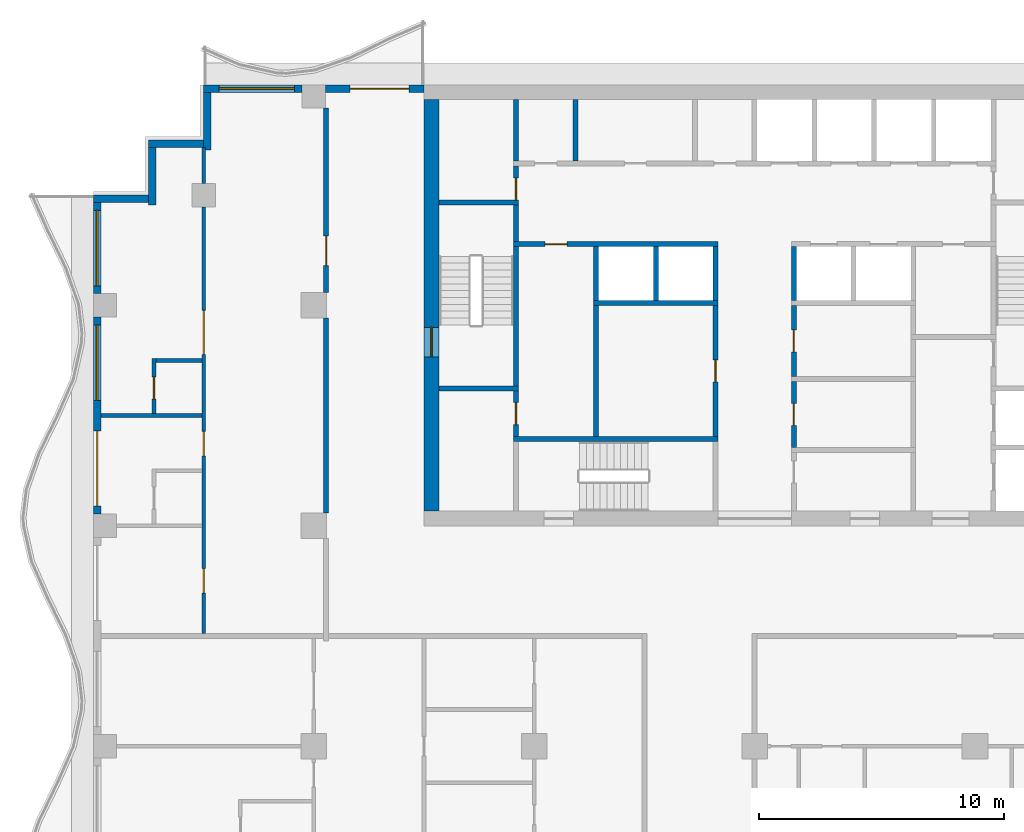
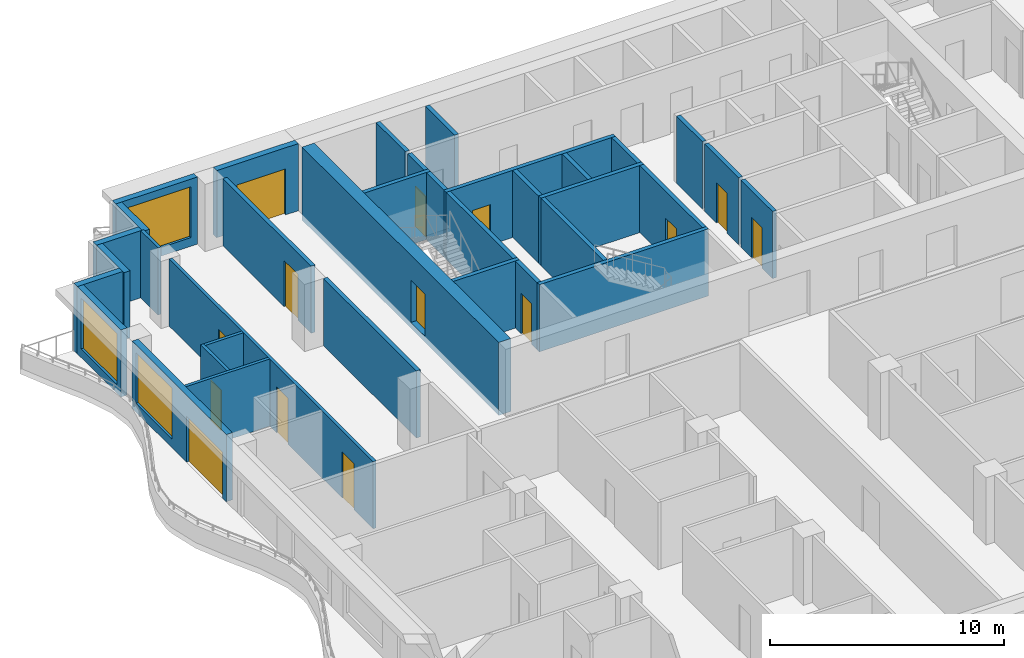
# One storey, part 5 of 11: 35 walls, 14 doors, 3 windows, 17 openings.
"""IFC4 building model written with IfcOpenShell, lengths in metres."""

from ifc_helpers import new_model, si_unit, direction, frame, frame_2d, origin, place, context, subcontext, project, spatial, rectangle, extrude, material, layer, layer_set, type_object, element, fill, save


model = new_model("IFC4")

# Units and contexts
model_context = context("Model", 3, precision=1e-05, world=origin(), true_north=direction((0.0, 1.0)))
body_context = subcontext(model_context, "Body", "Model", "MODEL_VIEW")
ifc_project = project(units=[si_unit("LENGTHUNIT", "METRE"), si_unit("AREAUNIT", "SQUARE_METRE"), si_unit("VOLUMEUNIT", "CUBIC_METRE"), si_unit("PLANEANGLEUNIT", "RADIAN"), si_unit("MASSUNIT", "GRAM", prefix="KILO")], contexts=[model_context])

# Site, building, storey
site_placement = place(None, origin())
site = spatial("IfcSite", under=ifc_project, at=site_placement, CompositionType="ELEMENT")
building_placement = place(site_placement, origin())
building = spatial("IfcBuilding", under=site, at=building_placement, Name="Orbiselva Terraces", CompositionType="ELEMENT")
storey_placement = place(building_placement, frame((0.0, 0.0, 222.4)))
storey = spatial("IfcBuildingStorey", under=building, at=storey_placement, Name="L56", CompositionType="ELEMENT", Elevation=222.4)

# Wall, opening, door
ifc_material_1 = material(Name="Concrete C80/95", Category="concrete")
ifc_layer_1 = layer(ifc_material_1, 0.6)
ifc_layer_set_1 = layer_set([ifc_layer_1], Name="Concrete C80/95")
wall_type_1 = type_object("IfcWallType", Name="CORE WALL 600", PredefinedType="SHEAR", material=ifc_layer_set_1)
wall_1_placement = place(storey_placement, frame((-13.2, 21.9, -0.3), z_axis=(0.0, 0.0, 1.0), x_axis=(0.0, -1.0, 0.0)))
wall_1 = element("IfcWall", 1, at=wall_1_placement, inside=storey, type_object=wall_type_1, Name="Core wall L56 west", PredefinedType="SHEAR", context=body_context, shape_type="SweptSolid", body=[
    extrude(rectangle(XDim=16.8, YDim=0.6, at=frame_2d((8.4, 0.0))), origin(), (0.0, 0.0, 1.0), 3.8),
])
opening_1_placement = place(wall_1_placement, frame((9.3, 0.0, 0.3)))
opening_1 = element("IfcOpeningElement", 2, at=opening_1_placement, cuts=wall_1, Name="Opening DS1200", PredefinedType="OPENING", context=body_context, shape_type="SweptSolid", body=[
    extrude(rectangle(XDim=1.2, YDim=2.2, at=frame_2d((0.6, 1.1))), frame((0.0, 0.31, 0.0), z_axis=(0.0, -1.0, 0.0), x_axis=(1.0, 0.0, 0.0)), (0.0, 0.0, 1.0), 0.62),
])
ifc_material_2 = material(Name="Steel fire door", Category="steel")
door_type_1 = type_object("IfcDoorType", Name="STAIR DOOR 1200", OperationType="NOTDEFINED", PredefinedType="DOOR", material=ifc_material_2)
door_1_placement = place(opening_1_placement, frame((1.2, 0.0, 0.0), z_axis=(0.0, 0.0, 1.0), x_axis=(-1.0, 0.0, 0.0)))
door_1 = element("IfcDoor", 3, at=door_1_placement, inside=storey, type_object=door_type_1, Name="L56 EXIT STAIR S1 door", OperationType="SINGLE_SWING_RIGHT", OverallHeight=2.2, OverallWidth=1.2, PredefinedType="DOOR", context=body_context, shape_type="SweptSolid", body=[
    extrude(rectangle(XDim=1.2, YDim=2.2, at=frame_2d((0.6, 1.1))), frame((0.0, 0.025, 0.0), z_axis=(0.0, -1.0, 0.0), x_axis=(1.0, 0.0, 0.0)), (0.0, 0.0, 1.0), 0.05),
])
fill(opening_1, door_1)

ifc_material_3 = material(Name="Masonry blockwork", Category="masonry")
ifc_layer_2 = layer(ifc_material_3, 0.2)
ifc_layer_set_2 = layer_set([ifc_layer_2], Name="Masonry blockwork")
wall_type_2 = type_object("IfcWallType", Name="CORE-WALL-PARTITION-200", PredefinedType="PARTITIONING", material=ifc_layer_set_2)
wall_2_placement = place(storey_placement, frame((-9.75, 8.15, 0.0), z_axis=(0.0, 0.0, 1.0), x_axis=(0.0, 1.0, 0.0)))
wall_2 = element("IfcWall", 4, at=wall_2_placement, inside=storey, type_object=wall_type_2, Name="L56 core wall 05", PredefinedType="PARTITIONING", context=body_context, shape_type="SweptSolid", body=[
    extrude(rectangle(XDim=1.85, YDim=0.2, at=frame_2d((0.925, 0.0))), origin(), (0.0, 0.0, 1.0), 3.5),
])
opening_2_placement = place(wall_2_placement, frame((0.475, 0.0, 0.0)))
opening_2 = element("IfcOpeningElement", 5, at=opening_2_placement, cuts=wall_2, Name="Opening DR900", PredefinedType="OPENING", context=body_context, shape_type="SweptSolid", body=[
    extrude(rectangle(XDim=0.9, YDim=2.1, at=frame_2d((0.45, 1.05))), frame((0.0, 0.11, 0.0), z_axis=(0.0, -1.0, 0.0), x_axis=(1.0, 0.0, 0.0)), (0.0, 0.0, 1.0), 0.22),
])
door_type_2 = type_object("IfcDoorType", Name="ROOM DOOR 900", OperationType="NOTDEFINED", PredefinedType="DOOR", material=ifc_material_2)
door_2_placement = place(opening_2_placement, origin())
door_2 = element("IfcDoor", 6, at=door_2_placement, inside=storey, type_object=door_type_2, Name="L56 STAFF WC door", OperationType="SINGLE_SWING_RIGHT", OverallHeight=2.1, OverallWidth=0.9, PredefinedType="DOOR", context=body_context, shape_type="SweptSolid", body=[
    extrude(rectangle(XDim=0.9, YDim=2.1, at=frame_2d((0.45, 1.05))), frame((0.0, 0.025, 0.0), z_axis=(0.0, -1.0, 0.0), x_axis=(1.0, 0.0, 0.0)), (0.0, 0.0, 1.0), 0.05),
])
fill(opening_2, door_2)

wall_3_placement = place(storey_placement, frame((-9.75, 17.8, 0.0), z_axis=(0.0, 0.0, 1.0), x_axis=(0.0, 1.0, 0.0)))
wall_3 = element("IfcWall", 7, at=wall_3_placement, inside=storey, type_object=wall_type_2, Name="L56 core wall 09", PredefinedType="PARTITIONING", context=body_context, shape_type="SweptSolid", body=[
    extrude(rectangle(XDim=1.4, YDim=0.2, at=frame_2d((0.7, 0.0))), origin(), (0.0, 0.0, 1.0), 3.5),
])
opening_3_placement = place(wall_3_placement, origin())
opening_3 = element("IfcOpeningElement", 8, at=opening_3_placement, cuts=wall_3, Name="Opening DR900", PredefinedType="OPENING", context=body_context, shape_type="SweptSolid", body=[
    extrude(rectangle(XDim=0.9, YDim=2.1, at=frame_2d((0.45, 1.05))), frame((0.0, 0.11, 0.0), z_axis=(0.0, -1.0, 0.0), x_axis=(1.0, 0.0, 0.0)), (0.0, 0.0, 1.0), 0.22),
])
door_3_placement = place(opening_3_placement, origin())
door_3 = element("IfcDoor", 9, at=door_3_placement, inside=storey, type_object=door_type_2, Name="L56 ELECTRICAL RISER ROOM door", OperationType="SINGLE_SWING_LEFT", OverallHeight=2.1, OverallWidth=0.9, PredefinedType="DOOR", context=body_context, shape_type="SweptSolid", body=[
    extrude(rectangle(XDim=0.9, YDim=2.1, at=frame_2d((0.45, 1.05))), frame((0.0, 0.025, 0.0), z_axis=(0.0, -1.0, 0.0), x_axis=(1.0, 0.0, 0.0)), (0.0, 0.0, 1.0), 0.05),
])
fill(opening_3, door_3)

# Walls
for number, where, z_axis, x_axis, name in (
    (10, (-9.75, 19.4, 0.0), (0.0, 0.0, 1.0), (0.0, 1.0, 0.0), "L56 core wall 11"),
    (11, (-7.3125, 19.4, 0.0), (0.0, 0.0, 1.0), (0.0, 1.0, 0.0), "L56 core wall 12"),
):
    element("IfcWall", number, at=place(storey_placement, frame(where, z_axis=z_axis, x_axis=x_axis)), inside=storey, type_object=wall_type_2, Name=name, PredefinedType="PARTITIONING", context=body_context, shape_type="SweptSolid", body=[
        extrude(rectangle(XDim=2.5, YDim=0.2, at=frame_2d((1.25, 0.0))), origin(), (0.0, 0.0, 1.0), 3.5),
    ])
wall_4_placement = place(storey_placement, frame((-6.475, 8.15, 0.0), z_axis=(0.0, 0.0, 1.0), x_axis=(0.0, 1.0, 0.0)))
element("IfcWall", 12, at=wall_4_placement, inside=storey, type_object=wall_type_2, Name="L56 core wall 13", PredefinedType="PARTITIONING", context=body_context, shape_type="SweptSolid", body=[
    extrude(rectangle(XDim=5.35, YDim=0.2, at=frame_2d((2.675, 0.0))), origin(), (0.0, 0.0, 1.0), 3.5),
])

# Wall, opening, door
wall_5_placement = place(storey_placement, frame((1.6, 10.4, 0.0), z_axis=(0.0, 0.0, 1.0), x_axis=(0.0, -1.0, 0.0)))
wall_5 = element("IfcWall", 13, at=wall_5_placement, inside=storey, type_object=wall_type_2, Name="L56 core wall 24", PredefinedType="PARTITIONING", context=body_context, shape_type="SweptSolid", body=[
    extrude(rectangle(XDim=2.7, YDim=0.2, at=frame_2d((1.35, 0.0))), origin(), (0.0, 0.0, 1.0), 3.5),
])
opening_4_placement = place(wall_5_placement, frame((0.9, 0.0, 0.0)))
opening_4 = element("IfcOpeningElement", 14, at=opening_4_placement, cuts=wall_5, Name="Opening DR900", PredefinedType="OPENING", context=body_context, shape_type="SweptSolid", body=[
    extrude(rectangle(XDim=0.9, YDim=2.1, at=frame_2d((0.45, 1.05))), frame((0.0, 0.11, 0.0), z_axis=(0.0, -1.0, 0.0), x_axis=(1.0, 0.0, 0.0)), (0.0, 0.0, 1.0), 0.22),
])
door_4_placement = place(opening_4_placement, origin())
door_4 = element("IfcDoor", 15, at=door_4_placement, inside=storey, type_object=door_type_2, Name="L56 SERVICE PANTRY door", OperationType="SINGLE_SWING_LEFT", OverallHeight=2.1, OverallWidth=0.9, PredefinedType="DOOR", context=body_context, shape_type="SweptSolid", body=[
    extrude(rectangle(XDim=0.9, YDim=2.1, at=frame_2d((0.45, 1.05))), frame((0.0, 0.025, 0.0), z_axis=(0.0, -1.0, 0.0), x_axis=(1.0, 0.0, 0.0)), (0.0, 0.0, 1.0), 0.05),
])
fill(opening_4, door_4)

wall_6_placement = place(storey_placement, frame((1.6, 13.5, 0.0), z_axis=(0.0, 0.0, 1.0), x_axis=(0.0, -1.0, 0.0)))
wall_6 = element("IfcWall", 16, at=wall_6_placement, inside=storey, type_object=wall_type_2, Name="L56 core wall 26", PredefinedType="PARTITIONING", context=body_context, shape_type="SweptSolid", body=[
    extrude(rectangle(XDim=2.9, YDim=0.2, at=frame_2d((1.45, 0.0))), origin(), (0.0, 0.0, 1.0), 3.5),
])
opening_5_placement = place(wall_6_placement, frame((1.0, 0.0, 0.0)))
opening_5 = element("IfcOpeningElement", 17, at=opening_5_placement, cuts=wall_6, Name="Opening DR900", PredefinedType="OPENING", context=body_context, shape_type="SweptSolid", body=[
    extrude(rectangle(XDim=0.9, YDim=2.1, at=frame_2d((0.45, 1.05))), frame((0.0, 0.11, 0.0), z_axis=(0.0, -1.0, 0.0), x_axis=(1.0, 0.0, 0.0)), (0.0, 0.0, 1.0), 0.22),
])
door_5_placement = place(opening_5_placement, origin())
door_5 = element("IfcDoor", 18, at=door_5_placement, inside=storey, type_object=door_type_2, Name="L56 STAFF WC door", OperationType="SINGLE_SWING_LEFT", OverallHeight=2.1, OverallWidth=0.9, PredefinedType="DOOR", context=body_context, shape_type="SweptSolid", body=[
    extrude(rectangle(XDim=0.9, YDim=2.1, at=frame_2d((0.45, 1.05))), frame((0.0, 0.025, 0.0), z_axis=(0.0, -1.0, 0.0), x_axis=(1.0, 0.0, 0.0)), (0.0, 0.0, 1.0), 0.05),
])
fill(opening_5, door_5)

# Walls
ifc_material_4 = material(Name="Concrete C40/50", Category="concrete")
ifc_layer_3 = layer(ifc_material_4, 0.2)
ifc_layer_set_3 = layer_set([ifc_layer_3], Name="Concrete C40/50")
wall_type_3 = type_object("IfcWallType", Name="CORE-WALL-SHAFT-200", PredefinedType="PARTITIONING", material=ifc_layer_set_3)
for number, where, z_axis, x_axis, name in (
    (19, (-6.475, 13.7, 0.0), (0.0, 0.0, 1.0), (0.0, 1.0, 0.0), "L56 core wall 15"),
    (20, (-4.0375, 13.7, 0.0), (0.0, 0.0, 1.0), (0.0, 1.0, 0.0), "L56 core wall 16"),
    (21, (-1.6, 13.7, 0.0), (0.0, 0.0, 1.0), (0.0, 1.0, 0.0), "L56 core wall 20"),
    (22, (1.6, 13.7, 0.0), (0.0, 0.0, 1.0), (0.0, 1.0, 0.0), "L56 core wall 28"),
):
    element("IfcWall", number, at=place(storey_placement, frame(where, z_axis=z_axis, x_axis=x_axis)), inside=storey, type_object=wall_type_3, Name=name, PredefinedType="PARTITIONING", context=body_context, shape_type="SweptSolid", body=[
        extrude(rectangle(XDim=2.2, YDim=0.2, at=frame_2d((1.1, 0.0))), origin(), (0.0, 0.0, 1.0), 3.5),
    ])
ifc_material_5 = material(Name="Concrete C60/75", Category="concrete")
ifc_layer_4 = layer(ifc_material_5, 0.2)
ifc_layer_set_4 = layer_set([ifc_layer_4], Name="Concrete C60/75")
wall_type_4 = type_object("IfcWallType", Name="CORE-WALL-SHEAR-200", PredefinedType="SHEAR", material=ifc_layer_set_4)
for number, where, z_axis, x_axis, name in (
    (23, (-12.9, 10.1, 0.0), (0.0, 0.0, 1.0), (1.0, 0.0, 0.0), "L56 core wall 01"),
    (24, (-12.9, 17.7, 0.0), (0.0, 0.0, 1.0), (1.0, 0.0, 0.0), "L56 core wall 02"),
):
    element("IfcWall", number, at=place(storey_placement, frame(where, z_axis=z_axis, x_axis=x_axis)), inside=storey, type_object=wall_type_4, Name=name, PredefinedType="SHEAR", context=body_context, shape_type="SweptSolid", body=[
        extrude(rectangle(XDim=3.25, YDim=0.2, at=frame_2d((1.625, 0.0))), origin(), (0.0, 0.0, 1.0), 3.5),
    ])
wall_7_placement = place(storey_placement, frame((-9.85, 8.05, 0.0), z_axis=(0.0, 0.0, 1.0), x_axis=(1.0, 0.0, 0.0)))
element("IfcWall", 25, at=wall_7_placement, inside=storey, type_object=wall_type_4, Name="L56 core wall 04", PredefinedType="SHEAR", context=body_context, shape_type="SweptSolid", body=[
    extrude(rectangle(XDim=8.35, YDim=0.2, at=frame_2d((4.175, 0.0))), origin(), (0.0, 0.0, 1.0), 3.5),
])
wall_8_placement = place(storey_placement, frame((-9.75, 10.2, 0.0), z_axis=(0.0, 0.0, 1.0), x_axis=(0.0, 1.0, 0.0)))
element("IfcWall", 26, at=wall_8_placement, inside=storey, type_object=wall_type_4, Name="L56 core wall 06", PredefinedType="SHEAR", context=body_context, shape_type="SweptSolid", body=[
    extrude(rectangle(XDim=5.7, YDim=0.2, at=frame_2d((2.85, 0.0))), origin(), (0.0, 0.0, 1.0), 3.5),
])

# Wall, opening, door
wall_9_placement = place(storey_placement, frame((-1.5, 16.0, 0.0), z_axis=(0.0, 0.0, 1.0), x_axis=(-1.0, 0.0, 0.0)))
wall_9 = element("IfcWall", 27, at=wall_9_placement, inside=storey, type_object=wall_type_4, Name="L56 core wall 07", PredefinedType="SHEAR", context=body_context, shape_type="SweptSolid", body=[
    extrude(rectangle(XDim=8.35, YDim=0.2, at=frame_2d((4.175, 0.0))), origin(), (0.0, 0.0, 1.0), 3.5),
])
opening_6_placement = place(wall_9_placement, frame((6.1625, 0.0, 0.0)))
opening_6 = element("IfcOpeningElement", 28, at=opening_6_placement, cuts=wall_9, Name="Opening DR900", PredefinedType="OPENING", context=body_context, shape_type="SweptSolid", body=[
    extrude(rectangle(XDim=0.9, YDim=2.1, at=frame_2d((0.45, 1.05))), frame((0.0, 0.11, 0.0), z_axis=(0.0, -1.0, 0.0), x_axis=(1.0, 0.0, 0.0)), (0.0, 0.0, 1.0), 0.22),
])
door_6_placement = place(opening_6_placement, origin())
door_6 = element("IfcDoor", 29, at=door_6_placement, inside=storey, type_object=door_type_2, Name="L56 STAFF PANTRY door", OperationType="SINGLE_SWING_RIGHT", OverallHeight=2.1, OverallWidth=0.9, PredefinedType="DOOR", context=body_context, shape_type="SweptSolid", body=[
    extrude(rectangle(XDim=0.9, YDim=2.1, at=frame_2d((0.45, 1.05))), frame((0.0, 0.025, 0.0), z_axis=(0.0, -1.0, 0.0), x_axis=(1.0, 0.0, 0.0)), (0.0, 0.0, 1.0), 0.05),
])
fill(opening_6, door_6)

# Walls
wall_10_placement = place(storey_placement, frame((-9.75, 16.1, 0.0), z_axis=(0.0, 0.0, 1.0), x_axis=(0.0, 1.0, 0.0)))
element("IfcWall", 30, at=wall_10_placement, inside=storey, type_object=wall_type_4, Name="L56 core wall 08", PredefinedType="SHEAR", context=body_context, shape_type="SweptSolid", body=[
    extrude(rectangle(XDim=1.5, YDim=0.2, at=frame_2d((0.75, 0.0))), origin(), (0.0, 0.0, 1.0), 3.5),
])
wall_11_placement = place(storey_placement, frame((-6.575, 13.6, 0.0), z_axis=(0.0, 0.0, 1.0), x_axis=(1.0, 0.0, 0.0)))
element("IfcWall", 31, at=wall_11_placement, inside=storey, type_object=wall_type_4, Name="L56 core wall 14", PredefinedType="SHEAR", context=body_context, shape_type="SweptSolid", body=[
    extrude(rectangle(XDim=5.075, YDim=0.2, at=frame_2d((2.5375, 0.0))), origin(), (0.0, 0.0, 1.0), 3.5),
])

# Wall, opening, door
wall_12_placement = place(storey_placement, frame((-1.6, 8.15, 0.0), z_axis=(0.0, 0.0, 1.0), x_axis=(0.0, 1.0, 0.0)))
wall_12 = element("IfcWall", 32, at=wall_12_placement, inside=storey, type_object=wall_type_4, Name="L56 core wall 19", PredefinedType="SHEAR", context=body_context, shape_type="SweptSolid", body=[
    extrude(rectangle(XDim=5.35, YDim=0.2, at=frame_2d((2.675, 0.0))), origin(), (0.0, 0.0, 1.0), 3.5),
])
opening_7_placement = place(wall_12_placement, frame((2.225, 0.0, 0.0)))
opening_7 = element("IfcOpeningElement", 33, at=opening_7_placement, cuts=wall_12, Name="Opening DR900", PredefinedType="OPENING", context=body_context, shape_type="SweptSolid", body=[
    extrude(rectangle(XDim=0.9, YDim=2.1, at=frame_2d((0.45, 1.05))), frame((0.0, 0.11, 0.0), z_axis=(0.0, -1.0, 0.0), x_axis=(1.0, 0.0, 0.0)), (0.0, 0.0, 1.0), 0.22),
])
door_7_placement = place(opening_7_placement, origin())
door_7 = element("IfcDoor", 34, at=door_7_placement, inside=storey, type_object=door_type_2, Name="L56 HOUSEKEEPING STORE door", OperationType="SINGLE_SWING_RIGHT", OverallHeight=2.1, OverallWidth=0.9, PredefinedType="DOOR", context=body_context, shape_type="SweptSolid", body=[
    extrude(rectangle(XDim=0.9, YDim=2.1, at=frame_2d((0.45, 1.05))), frame((0.0, 0.025, 0.0), z_axis=(0.0, -1.0, 0.0), x_axis=(1.0, 0.0, 0.0)), (0.0, 0.0, 1.0), 0.05),
])
fill(opening_7, door_7)

ifc_material_6 = material(Name="Terracotta cladding on masonry backing", Category="masonry")
ifc_layer_5 = layer(ifc_material_6, 0.3)
ifc_layer_set_5 = layer_set([ifc_layer_5], Name="Terracotta cladding on masonry backing")
wall_type_5 = type_object("IfcWallType", Name="ENV-WALL-TERRACOTTA-300", PredefinedType="SOLIDWALL", material=ifc_layer_set_5)
wall_13_placement = place(storey_placement, frame((-17.525, 22.35, 0.0), z_axis=(0.0, 0.0, 1.0), x_axis=(1.0, 0.0, 0.0)))
wall_13 = element("IfcWall", 35, at=wall_13_placement, inside=storey, type_object=wall_type_5, Name="Facade wall L56 NW", PredefinedType="SOLIDWALL", context=body_context, shape_type="SweptSolid", body=[
    extrude(rectangle(XDim=4.025, YDim=0.3, at=frame_2d((2.0125, 0.0))), origin(), (0.0, 0.0, 1.0), 3.5),
])
opening_8_placement = place(wall_13_placement, frame((1.0, 0.0, 0.0)))
opening_8 = element("IfcOpeningElement", 36, at=opening_8_placement, cuts=wall_13, Name="Opening Z4-D-E16", PredefinedType="OPENING", context=body_context, shape_type="SweptSolid", body=[
    extrude(rectangle(XDim=2.4, YDim=2.4, at=frame_2d((1.2, 1.2))), frame((0.0, 0.16, 0.0), z_axis=(0.0, -1.0, 0.0), x_axis=(1.0, 0.0, 0.0)), (0.0, 0.0, 1.0), 0.32),
])
ifc_material_7 = material(Name="Clear low-e glazing in aluminium frame", Category="aluminium")
door_type_3 = type_object("IfcDoorType", Name="BALCONY DOOR 2400 X 2400", OperationType="DOUBLE_DOOR_SLIDING", PredefinedType="DOOR", material=ifc_material_7)
door_8_placement = place(opening_8_placement, origin())
door_8 = element("IfcDoor", 37, at=door_8_placement, inside=storey, type_object=door_type_3, Name="Z4-D-E16", OperationType="SINGLE_SWING_LEFT", OverallHeight=2.4, OverallWidth=2.4, PredefinedType="DOOR", context=body_context, shape_type="SweptSolid", body=[
    extrude(rectangle(XDim=2.4, YDim=2.4, at=frame_2d((1.2, 1.2))), frame((0.0, 0.025, 0.0), z_axis=(0.0, -1.0, 0.0), x_axis=(1.0, 0.0, 0.0)), (0.0, 0.0, 1.0), 0.05),
])
fill(opening_8, door_8)

# Wall, opening, window
wall_14_placement = place(storey_placement, frame((-22.5, 22.35, 0.0), z_axis=(0.0, 0.0, 1.0), x_axis=(1.0, 0.0, 0.0)))
wall_14 = element("IfcWall", 38, at=wall_14_placement, inside=storey, type_object=wall_type_5, Name="Facade wall L56 NW", PredefinedType="SOLIDWALL", context=body_context, shape_type="SweptSolid", body=[
    extrude(rectangle(XDim=4.025, YDim=0.3, at=frame_2d((2.0125, 0.0))), origin(), (0.0, 0.0, 1.0), 3.5),
])
opening_9_placement = place(wall_14_placement, frame((0.625, 0.0, 0.45)))
opening_9 = element("IfcOpeningElement", 39, at=opening_9_placement, cuts=wall_14, Name="Opening WN15", PredefinedType="OPENING", context=body_context, shape_type="SweptSolid", body=[
    extrude(rectangle(XDim=3.075, YDim=2.65, at=frame_2d((1.5375, 1.325))), frame((0.0, 0.16, 0.0), z_axis=(0.0, -1.0, 0.0), x_axis=(1.0, 0.0, 0.0)), (0.0, 0.0, 1.0), 0.32),
])
window_type = type_object("IfcWindowType", Name="WINDOW 3075 X 2650 S450", PartitioningType="TRIPLE_PANEL_VERTICAL", PredefinedType="WINDOW", material=ifc_material_7)
window_1_placement = place(opening_9_placement, origin())
window_1 = element("IfcWindow", 40, at=window_1_placement, inside=storey, type_object=window_type, Name="Window L56 NW", OverallHeight=2.65, OverallWidth=3.075, PartitioningType="SINGLE_PANEL", PredefinedType="WINDOW", context=body_context, shape_type="SweptSolid", body=[
    extrude(rectangle(XDim=3.075, YDim=2.65, at=frame_2d((1.5375, 1.325))), frame((0.0, 0.03, 0.0), z_axis=(0.0, -1.0, 0.0), x_axis=(1.0, 0.0, 0.0)), (0.0, 0.0, 1.0), 0.06),
])
fill(opening_9, window_1)

# Walls
wall_15_placement = place(storey_placement, frame((-22.35, 19.85, 0.0), z_axis=(0.0, 0.0, 1.0), x_axis=(0.0, 1.0, 0.0)))
element("IfcWall", 41, at=wall_15_placement, inside=storey, type_object=wall_type_5, Name="Facade wall L56 STEP", PredefinedType="SOLIDWALL", context=body_context, shape_type="SweptSolid", body=[
    extrude(rectangle(XDim=2.35, YDim=0.3, at=frame_2d((1.175, 0.0))), origin(), (0.0, 0.0, 1.0), 3.5),
])
wall_16_placement = place(storey_placement, frame((-24.75, 20.1, 0.0), z_axis=(0.0, 0.0, 1.0), x_axis=(1.0, 0.0, 0.0)))
element("IfcWall", 42, at=wall_16_placement, inside=storey, type_object=wall_type_5, Name="Facade wall L56 STEP", PredefinedType="SOLIDWALL", context=body_context, shape_type="SweptSolid", body=[
    extrude(rectangle(XDim=2.25, YDim=0.3, at=frame_2d((1.125, 0.0))), origin(), (0.0, 0.0, 1.0), 3.5),
])
wall_17_placement = place(storey_placement, frame((-24.6, 17.6, 0.0), z_axis=(0.0, 0.0, 1.0), x_axis=(0.0, 1.0, 0.0)))
element("IfcWall", 43, at=wall_17_placement, inside=storey, type_object=wall_type_5, Name="Facade wall L56 STEP", PredefinedType="SOLIDWALL", context=body_context, shape_type="SweptSolid", body=[
    extrude(rectangle(XDim=2.35, YDim=0.3, at=frame_2d((1.175, 0.0))), origin(), (0.0, 0.0, 1.0), 3.5),
])
wall_18_placement = place(storey_placement, frame((-27.0, 17.85, 0.0), z_axis=(0.0, 0.0, 1.0), x_axis=(1.0, 0.0, 0.0)))
element("IfcWall", 44, at=wall_18_placement, inside=storey, type_object=wall_type_5, Name="Facade wall L56 STEP", PredefinedType="SOLIDWALL", context=body_context, shape_type="SweptSolid", body=[
    extrude(rectangle(XDim=2.25, YDim=0.3, at=frame_2d((1.125, 0.0))), origin(), (0.0, 0.0, 1.0), 3.5),
])

# Wall, opening, window
wall_19_placement = place(storey_placement, frame((-26.85, 13.975, 0.0), z_axis=(0.0, 0.0, 1.0), x_axis=(0.0, 1.0, 0.0)))
wall_19 = element("IfcWall", 45, at=wall_19_placement, inside=storey, type_object=wall_type_5, Name="Facade wall L56 W", PredefinedType="SOLIDWALL", context=body_context, shape_type="SweptSolid", body=[
    extrude(rectangle(XDim=3.725, YDim=0.3, at=frame_2d((1.8625, 0.0))), origin(), (0.0, 0.0, 1.0), 3.5),
])
opening_10_placement = place(wall_19_placement, frame((0.325, 0.0, 0.45)))
opening_10 = element("IfcOpeningElement", 46, at=opening_10_placement, cuts=wall_19, Name="Opening WN15", PredefinedType="OPENING", context=body_context, shape_type="SweptSolid", body=[
    extrude(rectangle(XDim=3.075, YDim=2.65, at=frame_2d((1.5375, 1.325))), frame((0.0, 0.16, 0.0), z_axis=(0.0, -1.0, 0.0), x_axis=(1.0, 0.0, 0.0)), (0.0, 0.0, 1.0), 0.32),
])
window_2_placement = place(opening_10_placement, origin())
window_2 = element("IfcWindow", 47, at=window_2_placement, inside=storey, type_object=window_type, Name="Window L56 W", OverallHeight=2.65, OverallWidth=3.075, PartitioningType="SINGLE_PANEL", PredefinedType="WINDOW", context=body_context, shape_type="SweptSolid", body=[
    extrude(rectangle(XDim=3.075, YDim=2.65, at=frame_2d((1.5375, 1.325))), frame((0.0, 0.03, 0.0), z_axis=(0.0, -1.0, 0.0), x_axis=(1.0, 0.0, 0.0)), (0.0, 0.0, 1.0), 0.06),
])
fill(opening_10, window_2)

# Wall, openings, door, window
wall_20_placement = place(storey_placement, frame((-26.85, 4.975, 0.0), z_axis=(0.0, 0.0, 1.0), x_axis=(0.0, 1.0, 0.0)))
wall_20 = element("IfcWall", 48, at=wall_20_placement, inside=storey, type_object=wall_type_5, Name="Facade wall L56 W", PredefinedType="SOLIDWALL", context=body_context, shape_type="SweptSolid", body=[
    extrude(rectangle(XDim=8.05, YDim=0.3, at=frame_2d((4.025, 0.0))), origin(), (0.0, 0.0, 1.0), 3.5),
])
opening_11_placement = place(wall_20_placement, frame((4.65, 0.0, 0.45)))
opening_11 = element("IfcOpeningElement", 49, at=opening_11_placement, cuts=wall_20, Name="Opening WN15", PredefinedType="OPENING", context=body_context, shape_type="SweptSolid", body=[
    extrude(rectangle(XDim=3.075, YDim=2.65, at=frame_2d((1.5375, 1.325))), frame((0.0, 0.16, 0.0), z_axis=(0.0, -1.0, 0.0), x_axis=(1.0, 0.0, 0.0)), (0.0, 0.0, 1.0), 0.32),
])
opening_12_placement = place(wall_20_placement, frame((0.325, 0.0, 0.0)))
opening_12 = element("IfcOpeningElement", 50, at=opening_12_placement, cuts=wall_20, Name="Opening Z4-D-E17", PredefinedType="OPENING", context=body_context, shape_type="SweptSolid", body=[
    extrude(rectangle(XDim=3.075, YDim=2.4, at=frame_2d((1.5375, 1.2))), frame((0.0, 0.16, 0.0), z_axis=(0.0, -1.0, 0.0), x_axis=(1.0, 0.0, 0.0)), (0.0, 0.0, 1.0), 0.32),
])
door_type_4 = type_object("IfcDoorType", Name="BALCONY DOOR 3075 X 2400", OperationType="DOUBLE_DOOR_SLIDING", PredefinedType="DOOR", material=ifc_material_7)
door_9_placement = place(opening_12_placement, origin())
door_9 = element("IfcDoor", 51, at=door_9_placement, inside=storey, type_object=door_type_4, Name="Z4-D-E17", OperationType="SINGLE_SWING_LEFT", OverallHeight=2.4, OverallWidth=3.075, PredefinedType="DOOR", context=body_context, shape_type="SweptSolid", body=[
    extrude(rectangle(XDim=3.075, YDim=2.4, at=frame_2d((1.5375, 1.2))), frame((0.0, 0.025, 0.0), z_axis=(0.0, -1.0, 0.0), x_axis=(1.0, 0.0, 0.0)), (0.0, 0.0, 1.0), 0.05),
])
fill(opening_12, door_9)
window_3_placement = place(opening_11_placement, origin())
window_3 = element("IfcWindow", 52, at=window_3_placement, inside=storey, type_object=window_type, Name="Window L56 W", OverallHeight=2.65, OverallWidth=3.075, PartitioningType="SINGLE_PANEL", PredefinedType="WINDOW", context=body_context, shape_type="SweptSolid", body=[
    extrude(rectangle(XDim=3.075, YDim=2.65, at=frame_2d((1.5375, 1.325))), frame((0.0, 0.03, 0.0), z_axis=(0.0, -1.0, 0.0), x_axis=(1.0, 0.0, 0.0)), (0.0, 0.0, 1.0), 0.06),
])
fill(opening_11, window_3)

# Wall
ifc_material_8 = material(Name="Plasterboard on steel stud partition", Category="steel")
ifc_layer_6 = layer(ifc_material_8, 0.2)
ifc_layer_set_6 = layer_set([ifc_layer_6], Name="Plasterboard on steel stud partition")
wall_type_6 = type_object("IfcWallType", Name="UNIT-ENTRANCE-WALL-200", PredefinedType="PARTITIONING", material=ifc_layer_set_6)
wall_21_placement = place(storey_placement, frame((-17.5, 5.025, 0.0), z_axis=(0.0, 0.0, 1.0), x_axis=(0.0, 1.0, 0.0)))
element("IfcWall", 53, at=wall_21_placement, inside=storey, type_object=wall_type_6, Name="PARTITION L56-051", PredefinedType="PARTITIONING", context=body_context, shape_type="SweptSolid", body=[
    extrude(rectangle(XDim=7.95, YDim=0.2, at=frame_2d((3.975, 0.0))), origin(), (0.0, 0.0, 1.0), 3.5),
])

# Wall, opening, door
wall_22_placement = place(storey_placement, frame((-17.5, 14.025, 0.0), z_axis=(0.0, 0.0, 1.0), x_axis=(0.0, 1.0, 0.0)))
wall_22 = element("IfcWall", 54, at=wall_22_placement, inside=storey, type_object=wall_type_6, Name="PARTITION L56-052", PredefinedType="PARTITIONING", context=body_context, shape_type="SweptSolid", body=[
    extrude(rectangle(XDim=7.525, YDim=0.2, at=frame_2d((3.7625, 0.0))), origin(), (0.0, 0.0, 1.0), 3.5),
])
opening_13_placement = place(wall_22_placement, frame((1.1, 0.0, 0.0)))
opening_13 = element("IfcOpeningElement", 55, at=opening_13_placement, cuts=wall_22, Name="Opening Z4-D-02", PredefinedType="OPENING", context=body_context, shape_type="SweptSolid", body=[
    extrude(rectangle(XDim=1.2, YDim=2.4, at=frame_2d((0.6, 1.2))), frame((0.0, 0.11, 0.0), z_axis=(0.0, -1.0, 0.0), x_axis=(1.0, 0.0, 0.0)), (0.0, 0.0, 1.0), 0.22),
])
ifc_material_9 = material(Name="Painted timber door leaf", Category="wood")
door_type_5 = type_object("IfcDoorType", Name="ENTRANCE DOOR 1200", OperationType="NOTDEFINED", PredefinedType="DOOR", material=ifc_material_9)
door_10_placement = place(opening_13_placement, origin())
door_10 = element("IfcDoor", 56, at=door_10_placement, inside=storey, type_object=door_type_5, Name="Z4-D-02", OperationType="SINGLE_SWING_LEFT", OverallHeight=2.4, OverallWidth=1.2, PredefinedType="DOOR", context=body_context, shape_type="SweptSolid", body=[
    extrude(rectangle(XDim=1.2, YDim=2.4, at=frame_2d((0.6, 1.2))), frame((0.0, 0.025, 0.0), z_axis=(0.0, -1.0, 0.0), x_axis=(1.0, 0.0, 0.0)), (0.0, 0.0, 1.0), 0.05),
])
fill(opening_13, door_10)

# Walls
ifc_layer_7 = layer(ifc_material_8, 0.15)
ifc_layer_set_7 = layer_set([ifc_layer_7], Name="Plasterboard on steel stud partition")
wall_type_7 = type_object("IfcWallType", Name="UNIT-PARTITION-150", PredefinedType="PARTITIONING", material=ifc_layer_set_7)
wall_23_placement = place(storey_placement, frame((-26.7, 9.0, 0.0), z_axis=(0.0, 0.0, 1.0), x_axis=(1.0, 0.0, 0.0)))
element("IfcWall", 57, at=wall_23_placement, inside=storey, type_object=wall_type_7, Name="PARTITION L56-035", PredefinedType="PARTITIONING", context=body_context, shape_type="SweptSolid", body=[
    extrude(rectangle(XDim=4.125, YDim=0.15, at=frame_2d((2.0625, 0.0))), origin(), (0.0, 0.0, 1.0), 3.5),
])
wall_24_placement = place(storey_placement, frame((-24.45, 11.25, 0.0), z_axis=(0.0, 0.0, 1.0), x_axis=(1.0, 0.0, 0.0)))
element("IfcWall", 58, at=wall_24_placement, inside=storey, type_object=wall_type_7, Name="PARTITION L56-038", PredefinedType="PARTITIONING", context=body_context, shape_type="SweptSolid", body=[
    extrude(rectangle(XDim=1.875, YDim=0.15, at=frame_2d((0.9375, 0.0))), origin(), (0.0, 0.0, 1.0), 3.5),
])

# Wall, opening, door
wall_25_placement = place(storey_placement, frame((-24.525, 11.325, 0.0), z_axis=(0.0, 0.0, 1.0), x_axis=(0.0, -1.0, 0.0)))
wall_25 = element("IfcWall", 59, at=wall_25_placement, inside=storey, type_object=wall_type_7, Name="PARTITION L56-042", PredefinedType="PARTITIONING", context=body_context, shape_type="SweptSolid", body=[
    extrude(rectangle(XDim=2.25, YDim=0.15, at=frame_2d((1.125, 0.0))), origin(), (0.0, 0.0, 1.0), 3.5),
])
opening_14_placement = place(wall_25_placement, frame((0.75, 0.0, 0.0)))
opening_14 = element("IfcOpeningElement", 60, at=opening_14_placement, cuts=wall_25, Name="Opening Z4-D-07", PredefinedType="OPENING", context=body_context, shape_type="SweptSolid", body=[
    extrude(rectangle(XDim=0.9, YDim=2.1, at=frame_2d((0.45, 1.05))), frame((0.0, 0.085, 0.0), z_axis=(0.0, -1.0, 0.0), x_axis=(1.0, 0.0, 0.0)), (0.0, 0.0, 1.0), 0.17),
])
door_type_6 = type_object("IfcDoorType", Name="BATH DOOR 900", OperationType="NOTDEFINED", PredefinedType="DOOR", material=ifc_material_9)
door_11_placement = place(opening_14_placement, origin())
door_11 = element("IfcDoor", 61, at=door_11_placement, inside=storey, type_object=door_type_6, Name="Z4-D-07", OperationType="SINGLE_SWING_RIGHT", OverallHeight=2.1, OverallWidth=0.9, PredefinedType="DOOR", context=body_context, shape_type="SweptSolid", body=[
    extrude(rectangle(XDim=0.9, YDim=2.1, at=frame_2d((0.45, 1.05))), frame((0.0, 0.025, 0.0), z_axis=(0.0, -1.0, 0.0), x_axis=(1.0, 0.0, 0.0)), (0.0, 0.0, 1.0), 0.05),
])
fill(opening_14, door_11)

# Wall, openings, doors
wall_26_placement = place(storey_placement, frame((-22.5, 0.1, 0.0), z_axis=(0.0, 0.0, 1.0), x_axis=(0.0, 1.0, 0.0)))
wall_26 = element("IfcWall", 62, at=wall_26_placement, inside=storey, type_object=wall_type_7, Name="PARTITION L56-043", PredefinedType="PARTITIONING", context=body_context, shape_type="SweptSolid", body=[
    extrude(rectangle(XDim=17.425, YDim=0.15, at=frame_2d((8.7125, 0.0))), origin(), (0.0, 0.0, 1.0), 3.5),
])
opening_15_placement = place(wall_26_placement, frame((1.65, 0.0, 0.0)))
opening_15 = element("IfcOpeningElement", 63, at=opening_15_placement, cuts=wall_26, Name="Opening Z4-D-03", PredefinedType="OPENING", context=body_context, shape_type="SweptSolid", body=[
    extrude(rectangle(XDim=1.0, YDim=2.4, at=frame_2d((0.5, 1.2))), frame((0.0, 0.085, 0.0), z_axis=(0.0, -1.0, 0.0), x_axis=(1.0, 0.0, 0.0)), (0.0, 0.0, 1.0), 0.17),
])
opening_16_placement = place(wall_26_placement, frame((7.25, 0.0, 0.0)))
opening_16 = element("IfcOpeningElement", 64, at=opening_16_placement, cuts=wall_26, Name="Opening Z4-D-04", PredefinedType="OPENING", context=body_context, shape_type="SweptSolid", body=[
    extrude(rectangle(XDim=1.0, YDim=2.4, at=frame_2d((0.5, 1.2))), frame((0.0, 0.085, 0.0), z_axis=(0.0, -1.0, 0.0), x_axis=(1.0, 0.0, 0.0)), (0.0, 0.0, 1.0), 0.17),
])
opening_17_placement = place(wall_26_placement, frame((11.4, 0.0, 0.0)))
opening_17 = element("IfcOpeningElement", 65, at=opening_17_placement, cuts=wall_26, Name="Opening Z4-D-06", PredefinedType="OPENING", context=body_context, shape_type="SweptSolid", body=[
    extrude(rectangle(XDim=1.8, YDim=2.4, at=frame_2d((0.9, 1.2))), frame((0.0, 0.085, 0.0), z_axis=(0.0, -1.0, 0.0), x_axis=(1.0, 0.0, 0.0)), (0.0, 0.0, 1.0), 0.17),
])
door_type_7 = type_object("IfcDoorType", Name="DOUBLE DOOR 1800", OperationType="NOTDEFINED", PredefinedType="DOOR", material=ifc_material_9)
door_12_placement = place(opening_17_placement, origin())
door_12 = element("IfcDoor", 66, at=door_12_placement, inside=storey, type_object=door_type_7, Name="Z4-D-06", OperationType="DOUBLE_DOOR_SINGLE_SWING", OverallHeight=2.4, OverallWidth=1.8, PredefinedType="DOOR", context=body_context, shape_type="SweptSolid", body=[
    extrude(rectangle(XDim=1.8, YDim=2.4, at=frame_2d((0.9, 1.2))), frame((0.0, 0.025, 0.0), z_axis=(0.0, -1.0, 0.0), x_axis=(1.0, 0.0, 0.0)), (0.0, 0.0, 1.0), 0.05),
])
fill(opening_17, door_12)
door_type_8 = type_object("IfcDoorType", Name="ROOM DOOR 1000", OperationType="NOTDEFINED", PredefinedType="DOOR", material=ifc_material_9)
door_13_placement = place(opening_15_placement, origin())
door_13 = element("IfcDoor", 67, at=door_13_placement, inside=storey, type_object=door_type_8, Name="Z4-D-03", OperationType="SINGLE_SWING_LEFT", OverallHeight=2.4, OverallWidth=1.0, PredefinedType="DOOR", context=body_context, shape_type="SweptSolid", body=[
    extrude(rectangle(XDim=1.0, YDim=2.4, at=frame_2d((0.5, 1.2))), frame((0.0, 0.025, 0.0), z_axis=(0.0, -1.0, 0.0), x_axis=(1.0, 0.0, 0.0)), (0.0, 0.0, 1.0), 0.05),
])
fill(opening_15, door_13)
door_14_placement = place(opening_16_placement, origin())
door_14 = element("IfcDoor", 68, at=door_14_placement, inside=storey, type_object=door_type_8, Name="Z4-D-04", OperationType="SINGLE_SWING_LEFT", OverallHeight=2.4, OverallWidth=1.0, PredefinedType="DOOR", context=body_context, shape_type="SweptSolid", body=[
    extrude(rectangle(XDim=1.0, YDim=2.4, at=frame_2d((0.5, 1.2))), frame((0.0, 0.025, 0.0), z_axis=(0.0, -1.0, 0.0), x_axis=(1.0, 0.0, 0.0)), (0.0, 0.0, 1.0), 0.05),
])
fill(opening_16, door_14)

# Wall
wall_27_placement = place(storey_placement, frame((-22.5, 18.475, 0.0), z_axis=(0.0, 0.0, 1.0), x_axis=(0.0, 1.0, 0.0)))
element("IfcWall", 69, at=wall_27_placement, inside=storey, type_object=wall_type_7, Name="PARTITION L56-044", PredefinedType="PARTITIONING", context=body_context, shape_type="SweptSolid", body=[
    extrude(rectangle(XDim=1.475, YDim=0.15, at=frame_2d((0.7375, 0.0))), origin(), (0.0, 0.0, 1.0), 3.5),
])

save(model, "model.ifc")
